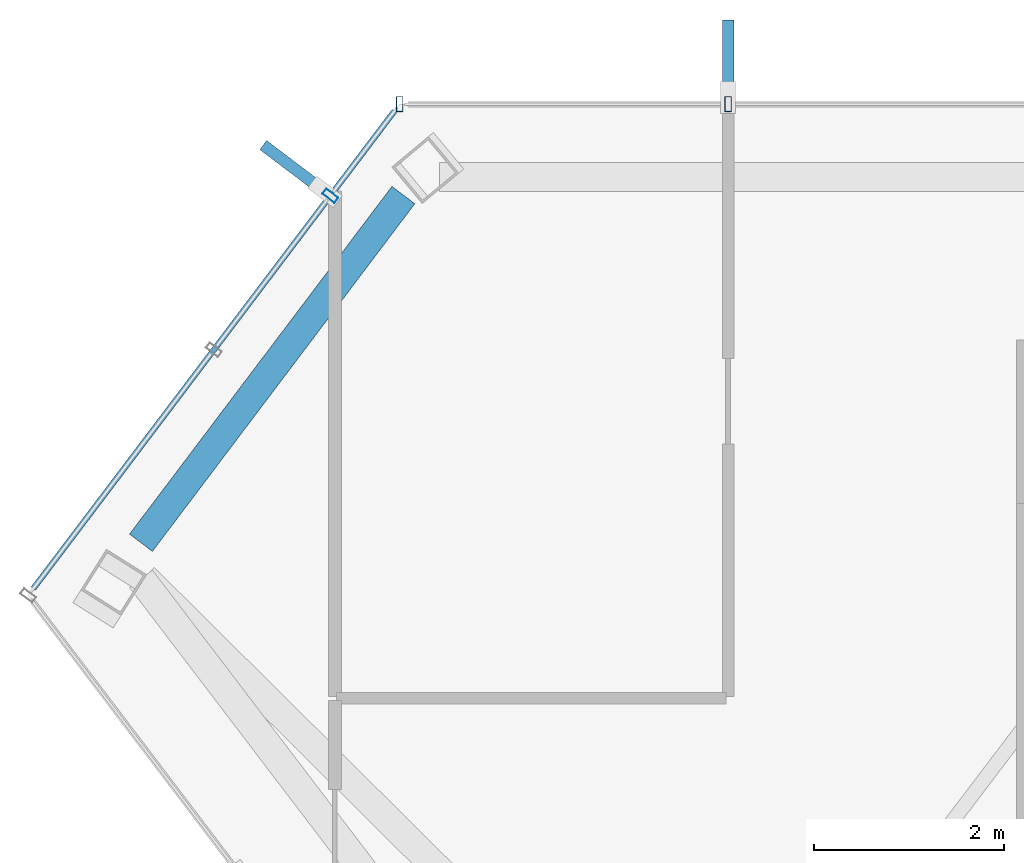
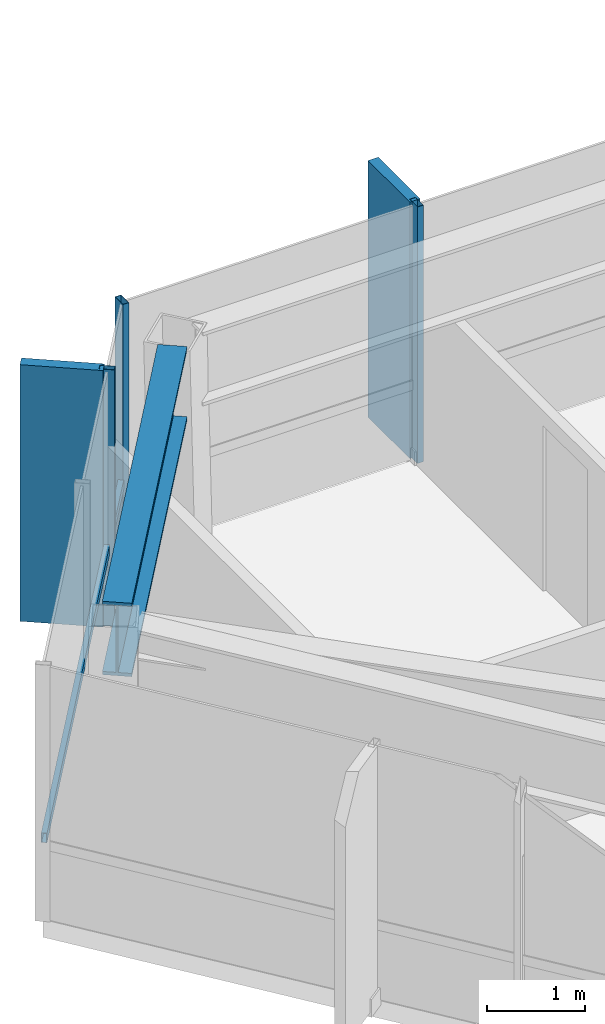
# One storey, part 11 of 25: 6 members, 1 beam, 2 elements without a shape of their own.
"""IFC4 building model written with IfcOpenShell, lengths in metres."""

from ifc_helpers import new_model, si_unit, direction, frame, origin, origin_2d, place, context, subcontext, project, spatial, rectangle, hollow_rectangle, i_section, extrude, material, layer, layer_set, material_profile, profile_set, type_object, element, aggregate, save


model = new_model("IFC4")

# Units and contexts
model_context = context("Model", 3, precision=1e-05, world=origin(), true_north=direction((0.0, 1.0)))
body_context = subcontext(model_context, "Body", "Model", "MODEL_VIEW")
ifc_project = project(units=[si_unit("LENGTHUNIT", "METRE"), si_unit("AREAUNIT", "SQUARE_METRE"), si_unit("VOLUMEUNIT", "CUBIC_METRE"), si_unit("PLANEANGLEUNIT", "RADIAN"), si_unit("MASSUNIT", "GRAM", prefix="KILO")], contexts=[model_context])

# Site, building, storey
site_placement = place(None, origin())
site = spatial("IfcSite", under=ifc_project, at=site_placement, CompositionType="ELEMENT")
building_placement = place(site_placement, origin())
building = spatial("IfcBuilding", under=site, at=building_placement, Name="Zarrinselat Tower", CompositionType="ELEMENT")
storey_placement = place(building_placement, frame((0.0, 0.0, 275.39990234375)))
storey = spatial("IfcBuildingStorey", under=building, at=storey_placement, Name="L70", CompositionType="ELEMENT", Elevation=275.39990234375)

# Beam
ifc_material_1 = material(Name="Steel S460M", Category="steel")
ifc_material_profile_1 = material_profile(ifc_material_1, i_section(OverallWidth=0.302001953125, OverallDepth=0.909912109375, WebThickness=0.02099609375, FlangeThickness=0.0400390625, at=origin_2d()), Name="HEM 900")
ifc_profile_set_1 = profile_set([ifc_material_profile_1], Name="Steel S460M")
beam_type = type_object("IfcBeamType", Name="BM-HEM900", PredefinedType="BEAM", material=ifc_profile_set_1)
beam_placement = place(storey_placement, frame((17.2626953125, 43.1357421875, 2.72509765625), z_axis=(0.602460701534, 0.798148547018, 0.0), x_axis=(-0.798148547018, 0.602460701534, 0.0)))
element("IfcBeam", 1, at=beam_placement, inside=storey, type_object=beam_type, Name="L70 Perimeter Spandrel Girder SP05", PredefinedType="BEAM", context=body_context, shape_type="SweptSolid", body=[
    extrude(i_section(OverallWidth=0.302001953125, OverallDepth=0.909912109375, WebThickness=0.02099609375, FlangeThickness=0.0400390625, at=origin_2d()), origin(), (0.0, 0.0, 1.0), 4.58251953125),
])

# Curtain wall, members
ifc_material_2 = material(Name="Extruded Aluminium Alloy EN AW-6063 T6", Category="aluminium")
ifc_layer = layer(ifc_material_2, 0.169921875)
ifc_layer_set = layer_set([ifc_layer], Name="Extruded Aluminium Alloy EN AW-6063 T6")
curtain_wall_type = type_object("IfcCurtainWallType", Name="CWS-RES", PredefinedType="NOTDEFINED", material=ifc_layer_set)
curtain_wall_1_placement = place(storey_placement, origin())
curtain_wall_1 = element("IfcCurtainWall", 2, at=curtain_wall_1_placement, inside=storey, type_object=curtain_wall_type, Name="L70 Unitised Curtain Wall CW-L70-E01", PredefinedType="NOTDEFINED")
ifc_material_3 = material(Name="Extruded Aluminium Alloy EN AW-6063 T6", Category="aluminium")
ifc_material_profile_2 = material_profile(ifc_material_3, hollow_rectangle(XDim=0.070068359375, YDim=0.159912109375, WallThickness=0.00390625, at=origin_2d()), Name="RHS 160x70x4")
ifc_profile_set_2 = profile_set([ifc_material_profile_2], Name="Extruded Aluminium Alloy EN AW-6063 T6")
member_type_1 = type_object("IfcMemberType", Name="MEM-CW-MUL2", PredefinedType="MULLION", material=ifc_profile_set_2)
member_1_placement = place(storey_placement, frame((23.439208984375, 47.75, 0.0), z_axis=(0.0, 0.0, 1.0), x_axis=(-1.0, 0.0, 0.0)))
member_1 = element("IfcMember", 3, at=member_1_placement, type_object=member_type_1, Name="CW-L70-E01 Mullion 11", PredefinedType="MULLION", context=body_context, shape_type="SweptSolid", body=[
    extrude(hollow_rectangle(XDim=0.070068359375, YDim=0.159912109375, WallThickness=0.00390625, at=origin_2d()), origin(), (0.0, 0.0, 1.0), 3.18017578125),
])
member_2_placement = place(storey_placement, frame((19.98388671875, 47.75, 0.0), z_axis=(0.0, 0.0, 1.0), x_axis=(-1.0, 0.0, 0.0)))
member_2 = element("IfcMember", 4, at=member_2_placement, type_object=member_type_1, Name="CW-L70-E01 Mullion 12", PredefinedType="MULLION", context=body_context, shape_type="SweptSolid", body=[
    extrude(hollow_rectangle(XDim=0.070068359375, YDim=0.159912109375, WallThickness=0.00390625, at=origin_2d()), origin(), (0.0, 0.0, 1.0), 3.18017578125),
])

curtain_wall_2_placement = place(storey_placement, origin())
curtain_wall_2 = element("IfcCurtainWall", 5, at=curtain_wall_2_placement, inside=storey, type_object=curtain_wall_type, Name="L70 Unitised Curtain Wall CW-L70-E02", PredefinedType="NOTDEFINED")
member_3_placement = place(storey_placement, frame((19.25439453125, 46.78564453125, 0.0), z_axis=(0.0, 0.0, 1.0), x_axis=(-0.603180355329, -0.797604826305, 0.0)))
member_3 = element("IfcMember", 6, at=member_3_placement, type_object=member_type_1, Name="CW-L70-E02 Mullion 1", PredefinedType="MULLION", context=body_context, shape_type="SweptSolid", body=[
    extrude(hollow_rectangle(XDim=0.070068359375, YDim=0.159912109375, WallThickness=0.00390625, at=origin_2d()), origin(), (0.0, 0.0, 1.0), 3.18017578125),
])
ifc_material_4 = material(Name="Extruded Aluminium Alloy EN AW-6063 T6", Category="aluminium")
ifc_material_profile_3 = material_profile(ifc_material_4, hollow_rectangle(XDim=0.06005859375, YDim=0.1201171875, WallThickness=0.00390625, at=origin_2d()), Name="RHS 120x60x4")
ifc_profile_set_3 = profile_set([ifc_material_profile_3], Name="Extruded Aluminium Alloy EN AW-6063 T6")
member_type_2 = type_object("IfcMemberType", Name="MEM-CW-TRN2", PredefinedType="USERDEFINED", material=ifc_profile_set_3)
member_4_placement = place(storey_placement, frame((19.929443359375, 47.67822265625, 0.9501953125), z_axis=(-0.603182242271, -0.797603399321, 0.0), x_axis=(0.797603399321, -0.603182242271, 0.0)))
member_4 = element("IfcMember", 7, at=member_4_placement, type_object=member_type_2, Name="CW-L70-E02 Transom 1", ObjectType="TRANSOM", PredefinedType="USERDEFINED", context=body_context, shape_type="SweptSolid", body=[
    extrude(hollow_rectangle(XDim=0.06005859375, YDim=0.1201171875, WallThickness=0.00390625, at=origin_2d()), origin(), (0.0, 0.0, 1.0), 6.300048828125),
])

# Member
ifc_material_5 = material(Name="Honed Cream Travertine Stone", Category="masonry")
ifc_material_profile_4 = material_profile(ifc_material_5, rectangle(XDim=0.1201171875, YDim=0.85009765625, at=origin_2d()), Name="FIN 850x120")
ifc_profile_set_4 = profile_set([ifc_material_profile_4], Name="Honed Cream Travertine Stone")
member_type_3 = type_object("IfcMemberType", Name="MEM-STONE-FIN", PredefinedType="USERDEFINED", material=ifc_profile_set_4)
member_5_placement = place(storey_placement, frame((23.439208984375, 48.2099609375, 0.0), z_axis=(0.0, 0.0, 1.0), x_axis=(1.0, 0.0, 0.0)))
member_5 = element("IfcMember", 8, at=member_5_placement, type_object=member_type_3, Name="L70 Stone Shading Fin CW-L70-E01-11", ObjectType="FIN", PredefinedType="USERDEFINED", context=body_context, shape_type="SweptSolid", body=[
    extrude(rectangle(XDim=0.1201171875, YDim=0.85009765625, at=origin_2d()), origin(), (0.0, 0.0, 1.0), 3.18017578125),
])

aggregate(curtain_wall_1, [member_1, member_5, member_2])

member_6_placement = place(storey_placement, frame((18.8876953125, 47.06298828125, 0.0), z_axis=(0.0, 0.0, 1.0), x_axis=(0.603180355329, 0.797604826305, 0.0)))
member_6 = element("IfcMember", 9, at=member_6_placement, type_object=member_type_3, Name="L70 Stone Shading Fin CW-L70-E02-01", ObjectType="FIN", PredefinedType="USERDEFINED", context=body_context, shape_type="SweptSolid", body=[
    extrude(rectangle(XDim=0.1201171875, YDim=0.85009765625, at=origin_2d()), origin(), (0.0, 0.0, 1.0), 3.18017578125),
])

aggregate(curtain_wall_2, [member_3, member_6, member_4])

save(model, "model.ifc")
